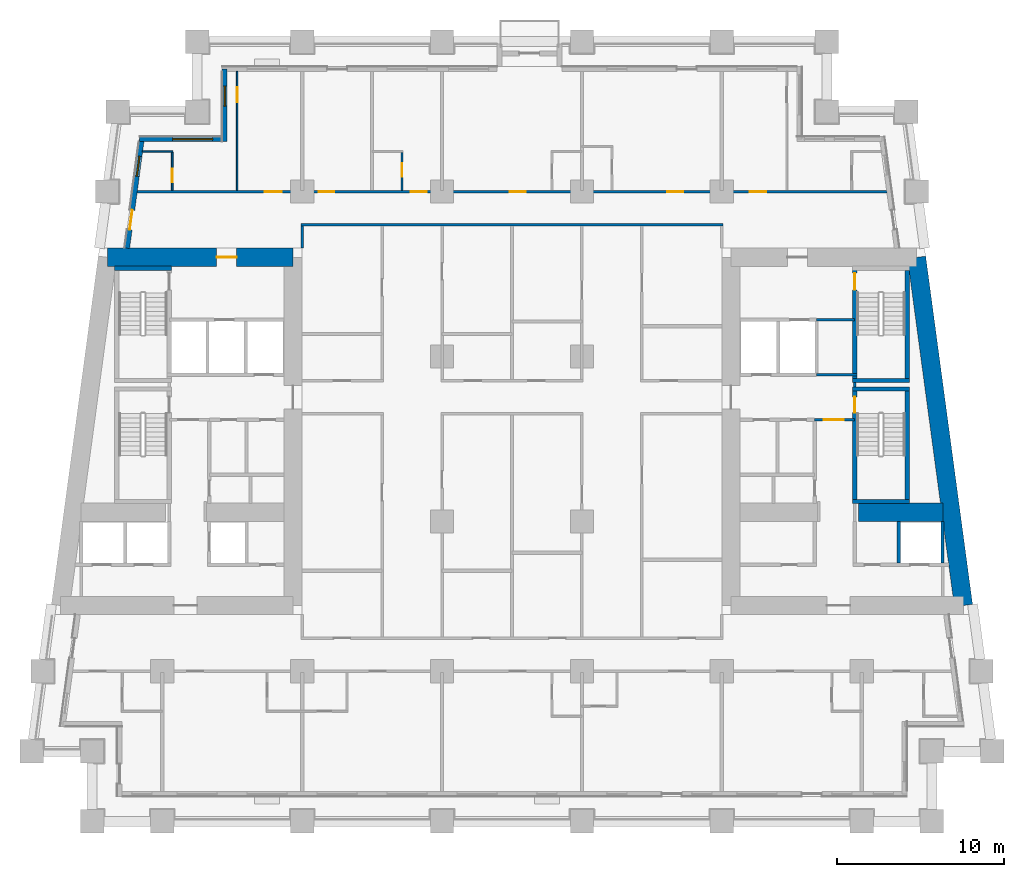
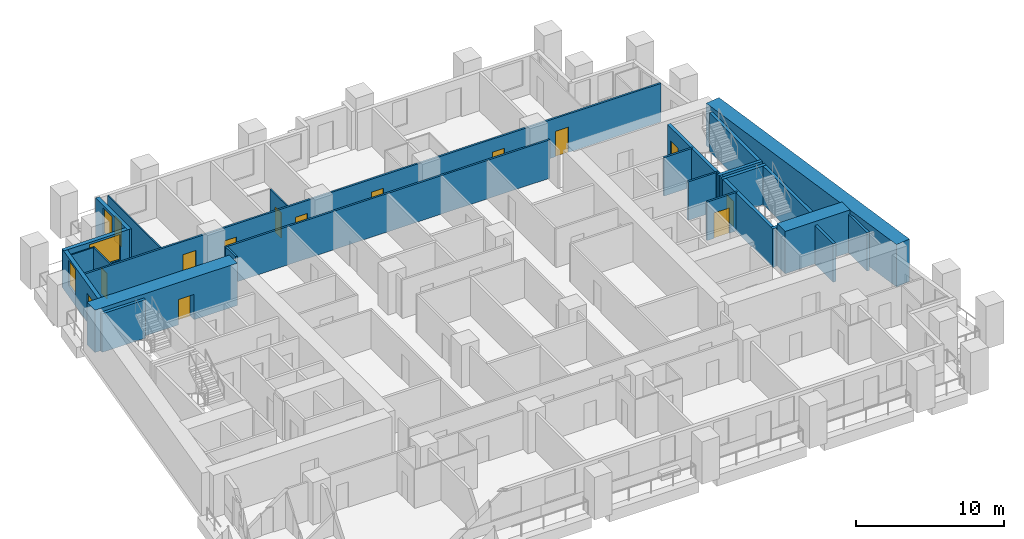
# One storey, part 6 of 13: 27 walls, 14 doors, 3 windows, 17 openings.
"""IFC4 building model written with IfcOpenShell, lengths in metres."""

import ifcopenshell
import ifcopenshell.guid

model = None  # the IFC model being written
_history = None  # IfcOwnerHistory: only IFC2X3 demands one
_inside = {}  # id of a spatial element -> (the spatial element, [elements in it])
_under = {}  # id of a project, library or spatial element -> (it, [spatial elements below it])
_declared = {}  # id of a project -> (the project, [libraries it declares])
_typed = {}  # id of a type object -> (the type object, [elements of that type])
_made_of = {}  # id of a material, layer set ... -> (it, [elements and type objects made of it])


def new_model(schema):
    """Start an empty IFC model of exactly this schema.

    Asked for "IFC4X3", IfcOpenShell would pick the latest addendum, in which some entities
    have other attributes; the version numbers below select the first issue.
    IFC2X3 requires an IfcOwnerHistory on every rooted entity: one is made here for all.
    """
    global model, _history
    if schema == "IFC4X3":
        model = ifcopenshell.file(schema_version=(4, 3, 0, 0))
    else:
        model = ifcopenshell.file(schema=schema)
    _inside.clear()
    _under.clear()
    _declared.clear()
    _typed.clear()
    _made_of.clear()
    _history = None
    if model.schema == "IFC2X3":
        org = make("IfcOrganization", Name="unknown")
        user = make(
            "IfcPersonAndOrganization",
            ThePerson=make("IfcPerson", FamilyName="unknown"),
            TheOrganization=org,
        )
        app = make(
            "IfcApplication",
            ApplicationDeveloper=org,
            Version="unknown",
            ApplicationFullName="unknown",
            ApplicationIdentifier="unknown",
        )
        _history = make(
            "IfcOwnerHistory",
            OwningUser=user,
            OwningApplication=app,
            ChangeAction="ADDED",
            CreationDate=0,
        )
    return model


def make(cls, **values):
    """One entity of the class cls with the attributes given. An attribute that is None is left unset."""
    return model.create_entity(
        cls, **{name: value for name, value in values.items() if value is not None}
    )


def rooted(cls, **values):
    """An entity with a GlobalId (a new one), such as an element, a storey or a relation."""
    return make(cls, GlobalId=ifcopenshell.guid.new(), OwnerHistory=_history, **values)


def si_unit(unit_type, name, prefix=None):
    """IfcSIUnit, for example si_unit("LENGTHUNIT", "METRE", prefix="MILLI")."""
    return make("IfcSIUnit", UnitType=unit_type, Prefix=prefix, Name=name)


def assignment(units):
    """IfcUnitAssignment: the units of a project."""
    return None if units is None else make("IfcUnitAssignment", Units=units)


def point(xyz):
    """IfcCartesianPoint."""
    return None if xyz is None else make("IfcCartesianPoint", Coordinates=xyz)


def direction(xyz):
    """IfcDirection."""
    return None if xyz is None else make("IfcDirection", DirectionRatios=xyz)


def frame(location, z_axis=None, x_axis=None):
    """IfcAxis2Placement3D, a coordinate frame: its origin and axes. An axis left out is left unset."""
    return make(
        "IfcAxis2Placement3D",
        Location=point(location),
        Axis=direction(z_axis),
        RefDirection=direction(x_axis),
    )


def frame_2d(location, x_axis=None):
    """IfcAxis2Placement2D, a coordinate frame in the plane: its origin and x axis."""
    return make(
        "IfcAxis2Placement2D", Location=point(location), RefDirection=direction(x_axis)
    )


def origin():
    """The frame at (0, 0, 0) with its axes left unset."""
    return frame((0.0, 0.0, 0.0))


def place(relative_to, where):
    """IfcLocalPlacement: puts the frame where relative to a parent placement (None: the world)."""
    return make(
        "IfcLocalPlacement", PlacementRelTo=relative_to, RelativePlacement=where
    )


def context(
    kind, dimensions, precision=None, world=None, true_north=None, identifier=None
):
    """IfcGeometricRepresentationContext, for example the 3D "Model" context."""
    return make(
        "IfcGeometricRepresentationContext",
        ContextIdentifier=identifier,
        ContextType=kind,
        CoordinateSpaceDimension=dimensions,
        Precision=precision,
        WorldCoordinateSystem=world,
        TrueNorth=true_north,
    )


def subcontext(parent, identifier, kind, view, scale=None):
    """IfcGeometricRepresentationSubContext, for example "Body" below "Model"."""
    return make(
        "IfcGeometricRepresentationSubContext",
        ContextIdentifier=identifier,
        ContextType=kind,
        ParentContext=parent,
        TargetScale=scale,
        TargetView=view,
    )


def project(units=None, contexts=None):
    """IfcProject with its units and contexts."""
    return rooted(
        "IfcProject",
        Name="project",
        RepresentationContexts=contexts,
        UnitsInContext=assignment(units),
    )


def spatial(cls, under=None, at=None, **own):
    """A site, building, storey or space (cls), placed at a placement, below another one or the project."""
    s = rooted(cls, ObjectPlacement=at, **own)
    if under is not None:
        _under.setdefault(under.id(), (under, []))[1].append(s)
    return s


def profile(cls, at=None, kind="AREA", **sizes):
    """A parametric profile (cls). Its sizes go by their IFC names, for example OverallWidth=200.0."""
    return make(cls, ProfileType=kind, Position=at, **sizes)


def rectangle(**sizes):
    """IfcRectangleProfileDef."""
    return profile("IfcRectangleProfileDef", **sizes)


def extrude(swept, where, along, depth):
    """IfcExtrudedAreaSolid: the profile swept, set in the frame where, extruded along a direction by depth."""
    return make(
        "IfcExtrudedAreaSolid",
        SweptArea=swept,
        Position=where,
        ExtrudedDirection=direction(along),
        Depth=depth,
    )


def shape(context_of_items, identifier, shape_type, items):
    """IfcShapeRepresentation: the items that make up one representation, for example the "Body"."""
    return make(
        "IfcShapeRepresentation",
        ContextOfItems=context_of_items,
        RepresentationIdentifier=identifier,
        RepresentationType=shape_type,
        Items=items,
    )


def material(Name=None, Category=None):
    """IfcMaterial."""
    return make("IfcMaterial", Name=Name, Category=Category)


def layer(
    of_material, thickness, ventilated=None, Name=None, Category=None, Priority=None
):
    """IfcMaterialLayer: one layer of a wall or slab, of a material (None: an air gap)."""
    return make(
        "IfcMaterialLayer",
        Material=of_material,
        LayerThickness=thickness,
        IsVentilated=ventilated,
        Name=Name,
        Category=Category,
        Priority=Priority,
    )


def layer_set(layers, Name=None):
    """IfcMaterialLayerSet."""
    return make("IfcMaterialLayerSet", MaterialLayers=layers, LayerSetName=Name)


def made_of(thing, what):
    """Note that an element or type object is made of a material, layer set ...; save() writes the relation."""
    if what is not None:
        _made_of.setdefault(what.id(), (what, []))[1].append(thing)
    return thing


def type_object(cls, material=None, **own):
    """A type object (cls), such as IfcWallType, which elements share."""
    return made_of(rooted(cls, **own), material)


def element(
    cls,
    number,
    at=None,
    inside=None,
    cuts=None,
    type_object=None,
    material=None,
    context=None,
    identifier="Body",
    shape_type=None,
    held_by="IfcProductDefinitionShape",
    body=None,
    shapes=None,
    **own,
):
    """One element of the class cls, such as IfcWall. Its Tag is "e" and its number.

    at: its placement. inside: the storey or other place that contains it. cuts: it is an
    opening in that element (IfcRelVoidsElement). A single representation is given by context,
    identifier, shape_type and body (its items); several are given by shapes. held_by: the class
    of the entity that holds the representations. save() writes the other relations.
    """
    e = rooted(cls, Tag="e%d" % number, ObjectPlacement=at, **own)
    if body is not None:
        shapes = [shape(context, identifier, shape_type, body)]
    if shapes is not None:
        e.Representation = make(held_by, Representations=shapes)
    if inside is not None:
        _inside.setdefault(inside.id(), (inside, []))[1].append(e)
    if cuts is not None:
        rooted(
            "IfcRelVoidsElement", RelatingBuildingElement=cuts, RelatedOpeningElement=e
        )
    if type_object is not None:
        _typed.setdefault(type_object.id(), (type_object, []))[1].append(e)
    return made_of(e, material)


def fill(opening, filler):
    """IfcRelFillsElement: the door or window that sits in an opening."""
    return rooted(
        "IfcRelFillsElement",
        RelatingOpeningElement=opening,
        RelatedBuildingElement=filler,
    )


def aggregate(whole, parts):
    """IfcRelAggregates: a whole, such as a stair, and the parts it consists of."""
    return rooted("IfcRelAggregates", RelatingObject=whole, RelatedObjects=parts)


def save(model, path):
    """Write the relations noted so far, then the file.

    IfcRelAggregates (storeys below a building ...), IfcRelContainedInSpatialStructure (elements
    in a storey), IfcRelDefinesByType, IfcRelAssociatesMaterial and IfcRelDeclares: one each for
    every whole, place, type object, material and project.
    """
    for whole, parts in _under.values():
        aggregate(whole, parts)
    for where, things in _inside.values():
        rooted(
            "IfcRelContainedInSpatialStructure",
            RelatedElements=things,
            RelatingStructure=where,
        )
    for kind, things in _typed.values():
        rooted("IfcRelDefinesByType", RelatedObjects=things, RelatingType=kind)
    for what, things in _made_of.values():
        rooted("IfcRelAssociatesMaterial", RelatedObjects=things, RelatingMaterial=what)
    for by, libraries in _declared.values():
        rooted("IfcRelDeclares", RelatingContext=by, RelatedDefinitions=libraries)
    model.write(path)


model = new_model("IFC4")

# Units and contexts
model_context = context("Model", 3, precision=1e-05, world=origin(), true_north=direction((0.0, 1.0)))
body_context = subcontext(model_context, "Body", "Model", "MODEL_VIEW")
ifc_project = project(units=[si_unit("LENGTHUNIT", "METRE"), si_unit("AREAUNIT", "SQUARE_METRE"), si_unit("VOLUMEUNIT", "CUBIC_METRE"), si_unit("PLANEANGLEUNIT", "RADIAN"), si_unit("MASSUNIT", "GRAM", prefix="KILO")], contexts=[model_context])

# Site, building, storey
site_placement = place(None, origin())
site = spatial("IfcSite", under=ifc_project, at=site_placement, CompositionType="ELEMENT")
building_placement = place(site_placement, origin())
building = spatial("IfcBuilding", under=site, at=building_placement, Name="Candeia Pilgrim Tower and Theatre", CompositionType="ELEMENT")
storey_placement = place(building_placement, frame((0.0, 0.0, 63.5)))
storey = spatial("IfcBuildingStorey", under=building, at=storey_placement, Name="L13", CompositionType="ELEMENT", Elevation=63.5)

# Wall, opening, door
ifc_material_1 = material(Name="Concrete C80/95", Category="concrete")
ifc_layer_1 = layer(ifc_material_1, 1.10009765625)
ifc_layer_set_1 = layer_set([ifc_layer_1], Name="Core wall 1100 C80/95")
wall_type_1 = type_object("IfcWallType", Name="Core wall 1100 C80/95", PredefinedType="SHEAR", material=ifc_layer_set_1)
wall_1_placement = place(storey_placement, frame((89.111572265625, 131.85009765625, 0.0), z_axis=(0.0, 0.0, 1.0), x_axis=(1.0, 0.0, 0.0)))
wall_1 = element("IfcWall", 1, at=wall_1_placement, inside=storey, type_object=wall_type_1, Name="Core wall W1", PredefinedType="SHEAR", context=body_context, shape_type="SweptSolid", body=[
    extrude(rectangle(XDim=11.138427734375, YDim=1.10009765625, at=frame_2d((5.5693359375, 0.0))), origin(), (0.0, 0.0, 1.0), 3.5),
])
opening_1_placement = place(wall_1_placement, frame((6.5517578125, 0.0, 0.0)))
opening_1 = element("IfcOpeningElement", 2, at=opening_1_placement, cuts=wall_1, Name="Opening L13-D060", PredefinedType="OPENING", context=body_context, shape_type="SweptSolid", body=[
    extrude(rectangle(XDim=1.199951171875, YDim=2.10009765625, at=frame_2d((0.60009765625, 1.050048828125))), frame((0.0, 0.56005859375, 0.0), z_axis=(0.0, -1.0, 0.0), x_axis=(1.0, 0.0, 0.0)), (0.0, 0.0, 1.0), 1.1201171875),
])
ifc_material_2 = material(Name="Steel fire door set", Category="steel")
door_type_1 = type_object("IfcDoorType", Name="D-1200-FD60", OperationType="NOTDEFINED", PredefinedType="DOOR", material=ifc_material_2)
door_1_placement = place(opening_1_placement, origin())
door_1 = element("IfcDoor", 3, at=door_1_placement, inside=storey, type_object=door_type_1, Name="Door L13-D060", OperationType="SINGLE_SWING_LEFT", OverallHeight=2.10009765625, OverallWidth=1.199951171875, PredefinedType="DOOR", context=body_context, shape_type="SweptSolid", body=[
    extrude(rectangle(XDim=1.199951171875, YDim=2.10009765625, at=frame_2d((0.60009765625, 1.050048828125))), frame((0.0, 0.02490234375, 0.0), z_axis=(0.0, -1.0, 0.0), x_axis=(1.0, 0.0, 0.0)), (0.0, 0.0, 1.0), 0.050048828125),
])
fill(opening_1, door_1)

# Walls
wall_2_placement = place(storey_placement, frame((137.688232421875, 131.85009765625, 0.0), z_axis=(0.0, 0.0, 1.0), x_axis=(0.133411793472, -0.991060691059, 0.0)))
element("IfcWall", 4, at=wall_2_placement, inside=storey, type_object=wall_type_1, Name="Core wall E2", PredefinedType="SHEAR", context=body_context, shape_type="SweptSolid", body=[
    extrude(rectangle(XDim=21.088623046875, YDim=1.10009765625, at=frame_2d((10.54443359375, 0.0))), origin(), (0.0, 0.0, 1.0), 3.5),
])
wall_3_placement = place(storey_placement, frame((134.199951171875, 116.550048828125, 0.0), z_axis=(0.0, 0.0, 1.0), x_axis=(1.0, 0.0, 0.0)))
element("IfcWall", 5, at=wall_3_placement, inside=storey, type_object=wall_type_1, Name="Core wall E6", PredefinedType="SHEAR", context=body_context, shape_type="SweptSolid", body=[
    extrude(rectangle(XDim=5.076904296875, YDim=1.10009765625, at=frame_2d((2.53857421875, 0.0))), origin(), (0.0, 0.0, 1.0), 3.5),
])

# Wall, opening, window
ifc_material_3 = material(Name="Ceramic block masonry", Category="masonry")
ifc_layer_2 = layer(ifc_material_3, 0.300048828125)
ifc_layer_set_2 = layer_set([ifc_layer_2], Name="EW1 glazing-line wall 300")
wall_type_2 = type_object("IfcWallType", Name="EW1 glazing-line wall 300", PredefinedType="SOLIDWALL", material=ifc_layer_set_2)
wall_4_placement = place(storey_placement, frame((96.14990234375, 143.14990234375, 0.0), z_axis=(0.0, 0.0, 1.0), x_axis=(0.0, -1.0, 0.0)))
wall_4 = element("IfcWall", 6, at=wall_4_placement, inside=storey, type_object=wall_type_2, Name="External wall L13-7.0", PredefinedType="SOLIDWALL", context=body_context, shape_type="SweptSolid", body=[
    extrude(rectangle(XDim=4.349853515625, YDim=0.300048828125, at=frame_2d((2.1748046875, 0.0))), origin(), (0.0, 0.0, 1.0), 3.179931640625),
])
opening_2_placement = place(wall_4_placement, frame((1.02490234375, 0.0, 0.89990234375)))
opening_2 = element("IfcOpeningElement", 7, at=opening_2_placement, cuts=wall_4, Name="Opening W-B", PredefinedType="OPENING", context=body_context, shape_type="SweptSolid", body=[
    extrude(rectangle(XDim=1.199951171875, YDim=2.10009765625, at=frame_2d((0.60009765625, 1.050048828125))), frame((0.0, 0.16015625, 0.0), z_axis=(0.0, -1.0, 0.0), x_axis=(1.0, 0.0, 0.0)), (0.0, 0.0, 1.0), 0.320068359375),
])
ifc_material_4 = material(Name="Aluminium framed double glazing", Category="aluminium")
window_type_1 = type_object("IfcWindowType", Name="W-B window 1200x2100", PartitioningType="SINGLE_PANEL", PredefinedType="WINDOW", material=ifc_material_4)
window_1_placement = place(opening_2_placement, origin())
window_1 = element("IfcWindow", 8, at=window_1_placement, inside=storey, type_object=window_type_1, Name="Window W-B L13", OverallHeight=2.10009765625, OverallWidth=1.199951171875, PartitioningType="SINGLE_PANEL", PredefinedType="WINDOW", context=body_context, shape_type="SweptSolid", body=[
    extrude(rectangle(XDim=1.199951171875, YDim=2.10009765625, at=frame_2d((0.60009765625, 1.050048828125))), frame((0.0, 0.030029296875, 0.0), z_axis=(0.0, -1.0, 0.0), x_axis=(1.0, 0.0, 0.0)), (0.0, 0.0, 1.0), 0.06005859375),
])
fill(opening_2, window_1)

wall_5_placement = place(storey_placement, frame((96.14990234375, 138.949951171875, 0.0), z_axis=(0.0, 0.0, 1.0), x_axis=(-1.0, 0.0, 0.0)))
wall_5 = element("IfcWall", 9, at=wall_5_placement, inside=storey, type_object=wall_type_2, Name="External wall L13-8.0", PredefinedType="SOLIDWALL", context=body_context, shape_type="SweptSolid", body=[
    extrude(rectangle(XDim=5.103759765625, YDim=0.300048828125, at=frame_2d((2.5517578125, 0.0))), origin(), (0.0, 0.0, 1.0), 3.179931640625),
])
opening_3_placement = place(wall_5_placement, frame((0.72509765625, 0.0, 0.89990234375)))
opening_3 = element("IfcOpeningElement", 10, at=opening_3_placement, cuts=wall_5, Name="Opening W-A", PredefinedType="OPENING", context=body_context, shape_type="SweptSolid", body=[
    extrude(rectangle(XDim=2.39990234375, YDim=2.10009765625, at=frame_2d((1.199951171875, 1.050048828125))), frame((0.0, 0.16015625, 0.0), z_axis=(0.0, -1.0, 0.0), x_axis=(1.0, 0.0, 0.0)), (0.0, 0.0, 1.0), 0.320068359375),
])
window_type_2 = type_object("IfcWindowType", Name="W-A window 2400x2100", PartitioningType="DOUBLE_PANEL_VERTICAL", PredefinedType="WINDOW", material=ifc_material_4)
window_2_placement = place(opening_3_placement, origin())
window_2 = element("IfcWindow", 11, at=window_2_placement, inside=storey, type_object=window_type_2, Name="Window W-A L13", OverallHeight=2.10009765625, OverallWidth=2.39990234375, PartitioningType="SINGLE_PANEL", PredefinedType="WINDOW", context=body_context, shape_type="SweptSolid", body=[
    extrude(rectangle(XDim=2.39990234375, YDim=2.10009765625, at=frame_2d((1.199951171875, 1.050048828125))), frame((0.0, 0.030029296875, 0.0), z_axis=(0.0, -1.0, 0.0), x_axis=(1.0, 0.0, 0.0)), (0.0, 0.0, 1.0), 0.06005859375),
])
fill(opening_3, window_2)

# Wall, openings, door, window
wall_6_placement = place(storey_placement, frame((91.177490234375, 138.949951171875, 0.0), z_axis=(0.0, 0.0, 1.0), x_axis=(-0.133426664613, -0.991058689065, 0.0)))
wall_6 = element("IfcWall", 12, at=wall_6_placement, inside=storey, type_object=wall_type_2, Name="External wall L13-9.0", PredefinedType="SOLIDWALL", context=body_context, shape_type="SweptSolid", body=[
    extrude(rectangle(XDim=6.609130859375, YDim=0.300048828125, at=frame_2d((3.3046875, 0.0))), origin(), (0.0, 0.0, 1.0), 3.179931640625),
])
opening_4_placement = place(wall_6_placement, frame((1.039306640625, 0.0, 0.89990234375)))
opening_4 = element("IfcOpeningElement", 13, at=opening_4_placement, cuts=wall_6, Name="Opening W-B", PredefinedType="OPENING", context=body_context, shape_type="SweptSolid", body=[
    extrude(rectangle(XDim=1.199951171875, YDim=2.10009765625, at=frame_2d((0.60009765625, 1.050048828125))), frame((0.0, 0.16015625, 0.0), z_axis=(0.0, -1.0, 0.0), x_axis=(1.0, 0.0, 0.0)), (0.0, 0.0, 1.0), 0.320068359375),
])
opening_5_placement = place(wall_6_placement, frame((4.293701171875, 0.0, 0.0)))
opening_5 = element("IfcOpeningElement", 14, at=opening_5_placement, cuts=wall_6, Name="Opening L13-ED154", PredefinedType="OPENING", context=body_context, shape_type="SweptSolid", body=[
    extrude(rectangle(XDim=1.199951171875, YDim=2.39990234375, at=frame_2d((0.60009765625, 1.199951171875))), frame((0.0, 0.16015625, 0.0), z_axis=(0.0, -1.0, 0.0), x_axis=(1.0, 0.0, 0.0)), (0.0, 0.0, 1.0), 0.320068359375),
])
ifc_material_5 = material(Name="Aluminium framed glazed door", Category="aluminium")
door_type_2 = type_object("IfcDoorType", Name="Loggia door 1200x2400", OperationType="DOUBLE_DOOR_SINGLE_SWING", PredefinedType="DOOR", material=ifc_material_5)
door_2_placement = place(opening_5_placement, origin())
door_2 = element("IfcDoor", 15, at=door_2_placement, inside=storey, type_object=door_type_2, Name="Loggia door L13-ED154", OperationType="DOUBLE_DOOR_SINGLE_SWING", OverallHeight=2.39990234375, OverallWidth=1.199951171875, PredefinedType="DOOR", context=body_context, shape_type="SweptSolid", body=[
    extrude(rectangle(XDim=1.199951171875, YDim=2.39990234375, at=frame_2d((0.60009765625, 1.199951171875))), frame((0.0, 0.02490234375, 0.0), z_axis=(0.0, -1.0, 0.0), x_axis=(1.0, 0.0, 0.0)), (0.0, 0.0, 1.0), 0.050048828125),
])
fill(opening_5, door_2)
window_3_placement = place(opening_4_placement, origin())
window_3 = element("IfcWindow", 16, at=window_3_placement, inside=storey, type_object=window_type_1, Name="Window W-B L13", OverallHeight=2.10009765625, OverallWidth=1.199951171875, PartitioningType="SINGLE_PANEL", PredefinedType="WINDOW", context=body_context, shape_type="SweptSolid", body=[
    extrude(rectangle(XDim=1.199951171875, YDim=2.10009765625, at=frame_2d((0.60009765625, 1.050048828125))), frame((0.0, 0.030029296875, 0.0), z_axis=(0.0, -1.0, 0.0), x_axis=(1.0, 0.0, 0.0)), (0.0, 0.0, 1.0), 0.06005859375),
])
fill(opening_4, window_3)

# Wall
ifc_material_6 = material(Name="Gypsum board partition on steel studs", Category="steel")
ifc_layer_3 = layer(ifc_material_6, 0.10009765625)
ifc_layer_set_3 = layer_set([ifc_layer_3], Name="PW-100 room partition")
wall_type_3 = type_object("IfcWallType", Name="PW-100 room partition", PredefinedType="PARTITIONING", material=ifc_layer_set_3)
wall_7_placement = place(storey_placement, frame((91.2177734375, 138.199951171875, 0.0), z_axis=(0.0, 0.0, 1.0), x_axis=(1.0, 0.0, 0.0)))
element("IfcWall", 17, at=wall_7_placement, inside=storey, type_object=wall_type_3, Name="Room partition L13-049", PredefinedType="PARTITIONING", context=body_context, shape_type="SweptSolid", body=[
    extrude(rectangle(XDim=1.832275390625, YDim=0.10009765625, at=frame_2d((0.916015625, 0.0))), origin(), (0.0, 0.0, 1.0), 3.179931640625),
])

# Wall, opening, door
wall_8_placement = place(storey_placement, frame((93.0, 135.875, 0.0), z_axis=(0.0, 0.0, 1.0), x_axis=(0.0, 1.0, 0.0)))
wall_8 = element("IfcWall", 18, at=wall_8_placement, inside=storey, type_object=wall_type_3, Name="Room partition L13-066", PredefinedType="PARTITIONING", context=body_context, shape_type="SweptSolid", body=[
    extrude(rectangle(XDim=2.27490234375, YDim=0.10009765625, at=frame_2d((1.137451171875, 0.0))), origin(), (0.0, 0.0, 1.0), 3.179931640625),
])
opening_6_placement = place(wall_8_placement, frame((0.5, 0.0, 0.0)))
opening_6 = element("IfcOpeningElement", 19, at=opening_6_placement, cuts=wall_8, Name="Opening L13-D032", PredefinedType="OPENING", context=body_context, shape_type="SweptSolid", body=[
    extrude(rectangle(XDim=0.800048828125, YDim=2.10009765625, at=frame_2d((0.39990234375, 1.050048828125))), frame((0.0, 0.06005859375, 0.0), z_axis=(0.0, -1.0, 0.0), x_axis=(1.0, 0.0, 0.0)), (0.0, 0.0, 1.0), 0.1201171875),
])
ifc_material_7 = material(Name="Timber door leaf", Category="wood")
door_type_3 = type_object("IfcDoorType", Name="D-800", OperationType="NOTDEFINED", PredefinedType="DOOR", material=ifc_material_7)
door_3_placement = place(opening_6_placement, origin())
door_3 = element("IfcDoor", 20, at=door_3_placement, inside=storey, type_object=door_type_3, Name="Door L13-D032", OperationType="SINGLE_SWING_LEFT", OverallHeight=2.10009765625, OverallWidth=0.800048828125, PredefinedType="DOOR", context=body_context, shape_type="SweptSolid", body=[
    extrude(rectangle(XDim=0.800048828125, YDim=2.10009765625, at=frame_2d((0.39990234375, 1.050048828125))), frame((0.0, 0.02490234375, 0.0), z_axis=(0.0, -1.0, 0.0), x_axis=(1.0, 0.0, 0.0)), (0.0, 0.0, 1.0), 0.050048828125),
])
fill(opening_6, door_3)

wall_9_placement = place(storey_placement, frame((96.89990234375, 135.875, 0.0), z_axis=(0.0, 0.0, 1.0), x_axis=(0.0, 1.0, 0.0)))
wall_9 = element("IfcWall", 21, at=wall_9_placement, inside=storey, type_object=wall_type_3, Name="Room partition L13-071", PredefinedType="PARTITIONING", context=body_context, shape_type="SweptSolid", body=[
    extrude(rectangle(XDim=7.135009765625, YDim=0.10009765625, at=frame_2d((3.5673828125, 0.0))), origin(), (0.0, 0.0, 1.0), 3.179931640625),
])
opening_7_placement = place(wall_9_placement, frame((5.2900390625, 0.0, 0.0)))
opening_7 = element("IfcOpeningElement", 22, at=opening_7_placement, cuts=wall_9, Name="Opening L13-D031", PredefinedType="OPENING", context=body_context, shape_type="SweptSolid", body=[
    extrude(rectangle(XDim=0.89990234375, YDim=2.10009765625, at=frame_2d((0.449951171875, 1.050048828125))), frame((0.0, 0.06005859375, 0.0), z_axis=(0.0, -1.0, 0.0), x_axis=(1.0, 0.0, 0.0)), (0.0, 0.0, 1.0), 0.1201171875),
])
door_type_4 = type_object("IfcDoorType", Name="D-900", OperationType="NOTDEFINED", PredefinedType="DOOR", material=ifc_material_7)
door_4_placement = place(opening_7_placement, origin())
door_4 = element("IfcDoor", 23, at=door_4_placement, inside=storey, type_object=door_type_4, Name="Door L13-D031", OperationType="SINGLE_SWING_RIGHT", OverallHeight=2.10009765625, OverallWidth=0.89990234375, PredefinedType="DOOR", context=body_context, shape_type="SweptSolid", body=[
    extrude(rectangle(XDim=0.89990234375, YDim=2.10009765625, at=frame_2d((0.449951171875, 1.050048828125))), frame((0.0, 0.02490234375, 0.0), z_axis=(0.0, -1.0, 0.0), x_axis=(1.0, 0.0, 0.0)), (0.0, 0.0, 1.0), 0.050048828125),
])
fill(opening_7, door_4)

wall_10_placement = place(storey_placement, frame((106.800048828125, 135.875, 0.0), z_axis=(0.0, 0.0, 1.0), x_axis=(0.0, 1.0, 0.0)))
wall_10 = element("IfcWall", 24, at=wall_10_placement, inside=storey, type_object=wall_type_3, Name="Room partition L13-085", PredefinedType="PARTITIONING", context=body_context, shape_type="SweptSolid", body=[
    extrude(rectangle(XDim=2.27490234375, YDim=0.10009765625, at=frame_2d((1.137451171875, 0.0))), origin(), (0.0, 0.0, 1.0), 3.179931640625),
])
opening_8_placement = place(wall_10_placement, frame((0.81494140625, 0.0, 0.0)))
opening_8 = element("IfcOpeningElement", 25, at=opening_8_placement, cuts=wall_10, Name="Opening L13-D035", PredefinedType="OPENING", context=body_context, shape_type="SweptSolid", body=[
    extrude(rectangle(XDim=0.800048828125, YDim=2.10009765625, at=frame_2d((0.39990234375, 1.050048828125))), frame((0.0, 0.06005859375, 0.0), z_axis=(0.0, -1.0, 0.0), x_axis=(1.0, 0.0, 0.0)), (0.0, 0.0, 1.0), 0.1201171875),
])
door_5_placement = place(opening_8_placement, origin())
door_5 = element("IfcDoor", 26, at=door_5_placement, inside=storey, type_object=door_type_3, Name="Door L13-D035", OperationType="SINGLE_SWING_RIGHT", OverallHeight=2.10009765625, OverallWidth=0.800048828125, PredefinedType="DOOR", context=body_context, shape_type="SweptSolid", body=[
    extrude(rectangle(XDim=0.800048828125, YDim=2.10009765625, at=frame_2d((0.39990234375, 1.050048828125))), frame((0.0, 0.02490234375, 0.0), z_axis=(0.0, -1.0, 0.0), x_axis=(1.0, 0.0, 0.0)), (0.0, 0.0, 1.0), 0.050048828125),
])
fill(opening_8, door_5)

ifc_layer_4 = layer(ifc_material_6, 0.14990234375)
ifc_layer_set_4 = layer_set([ifc_layer_4], Name="PW-150 lobby wall")
wall_type_4 = type_object("IfcWallType", Name="PW-150 lobby wall", PredefinedType="PARTITIONING", material=ifc_layer_set_4)
wall_11_placement = place(storey_placement, frame((131.572998046875, 122.10009765625, 0.0), z_axis=(0.0, 0.0, 1.0), x_axis=(1.0, 0.0, 0.0)))
wall_11 = element("IfcWall", 27, at=wall_11_placement, inside=storey, type_object=wall_type_4, Name="Lobby wall L13-024", PredefinedType="PARTITIONING", context=body_context, shape_type="SweptSolid", body=[
    extrude(rectangle(XDim=2.39990234375, YDim=0.14990234375, at=frame_2d((1.199951171875, 0.0))), origin(), (0.0, 0.0, 1.0), 3.179931640625),
])
opening_9_placement = place(wall_11_placement, frame((0.550048828125, 0.0, 0.0)))
opening_9 = element("IfcOpeningElement", 28, at=opening_9_placement, cuts=wall_11, Name="Opening L13-D008", PredefinedType="OPENING", context=body_context, shape_type="SweptSolid", body=[
    extrude(rectangle(XDim=1.199951171875, YDim=2.10009765625, at=frame_2d((0.60009765625, 1.050048828125))), frame((0.0, 0.0849609375, 0.0), z_axis=(0.0, -1.0, 0.0), x_axis=(1.0, 0.0, 0.0)), (0.0, 0.0, 1.0), 0.169921875),
])
door_6_placement = place(opening_9_placement, origin())
door_6 = element("IfcDoor", 29, at=door_6_placement, inside=storey, type_object=door_type_1, Name="Door L13-D008", OperationType="SINGLE_SWING_RIGHT", OverallHeight=2.10009765625, OverallWidth=1.199951171875, PredefinedType="DOOR", context=body_context, shape_type="SweptSolid", body=[
    extrude(rectangle(XDim=1.199951171875, YDim=2.10009765625, at=frame_2d((0.60009765625, 1.050048828125))), frame((0.0, 0.02490234375, 0.0), z_axis=(0.0, -1.0, 0.0), x_axis=(1.0, 0.0, 0.0)), (0.0, 0.0, 1.0), 0.050048828125),
])
fill(opening_9, door_6)

# Walls
wall_12_placement = place(storey_placement, frame((131.681884765625, 124.800048828125, 0.0), z_axis=(0.0, 0.0, 1.0), x_axis=(1.0, 0.0, 0.0)))
element("IfcWall", 30, at=wall_12_placement, inside=storey, type_object=wall_type_4, Name="Lobby wall L13-037", PredefinedType="PARTITIONING", context=body_context, shape_type="SweptSolid", body=[
    extrude(rectangle(XDim=2.416015625, YDim=0.14990234375, at=frame_2d((1.2080078125, 0.0))), origin(), (0.0, 0.0, 1.0), 3.179931640625),
])
wall_13_placement = place(storey_placement, frame((131.681884765625, 128.10009765625, 0.0), z_axis=(0.0, 0.0, 1.0), x_axis=(1.0, 0.0, 0.0)))
element("IfcWall", 31, at=wall_13_placement, inside=storey, type_object=wall_type_4, Name="Lobby wall L13-044", PredefinedType="PARTITIONING", context=body_context, shape_type="SweptSolid", body=[
    extrude(rectangle(XDim=2.291015625, YDim=0.14990234375, at=frame_2d((1.1455078125, 0.0))), origin(), (0.0, 0.0, 1.0), 3.179931640625),
])
wall_14_placement = place(storey_placement, frame((133.972900390625, 124.074951171875, 0.0), z_axis=(0.0, 0.0, 1.0), x_axis=(0.0, 1.0, 0.0)))
element("IfcWall", 32, at=wall_14_placement, inside=storey, type_object=wall_type_4, Name="Lobby wall L13-118", PredefinedType="PARTITIONING", context=body_context, shape_type="SweptSolid", body=[
    extrude(rectangle(XDim=0.25, YDim=0.14990234375, at=frame_2d((0.125, 0.0))), origin(), (0.0, 0.0, 1.0), 3.179931640625),
])
ifc_layer_5 = layer(ifc_material_6, 0.14990234375)
ifc_layer_set_5 = layer_set([ifc_layer_5], Name="PW-150 unit wall")
wall_type_5 = type_object("IfcWallType", Name="PW-150 unit wall", PredefinedType="PARTITIONING", material=ifc_layer_set_5)
wall_15_placement = place(storey_placement, frame((100.72509765625, 133.800048828125, 0.0), z_axis=(0.0, 0.0, 1.0), x_axis=(1.0, 0.0, 0.0)))
element("IfcWall", 33, at=wall_15_placement, inside=storey, type_object=wall_type_5, Name="Unit wall L13-047", PredefinedType="PARTITIONING", context=body_context, shape_type="SweptSolid", body=[
    extrude(rectangle(XDim=25.349853515625, YDim=0.14990234375, at=frame_2d((12.6748046875, 0.0))), origin(), (0.0, 0.0, 1.0), 3.179931640625),
])

# Wall, openings, doors
wall_16_placement = place(storey_placement, frame((90.89453125, 135.800048828125, 0.0), z_axis=(0.0, 0.0, 1.0), x_axis=(1.0, 0.0, 0.0)))
wall_16 = element("IfcWall", 34, at=wall_16_placement, inside=storey, type_object=wall_type_5, Name="Unit wall L13-048", PredefinedType="PARTITIONING", context=body_context, shape_type="SweptSolid", body=[
    extrude(rectangle(XDim=45.010986328125, YDim=0.14990234375, at=frame_2d((22.50537109375, 0.0))), origin(), (0.0, 0.0, 1.0), 3.179931640625),
])
opening_10_placement = place(wall_16_placement, frame((7.67529296875, 0.0, 0.0)))
opening_10 = element("IfcOpeningElement", 35, at=opening_10_placement, cuts=wall_16, Name="Opening L13-D030", PredefinedType="OPENING", context=body_context, shape_type="SweptSolid", body=[
    extrude(rectangle(XDim=1.0, YDim=2.10009765625, at=frame_2d((0.5, 1.050048828125))), frame((0.0, 0.0849609375, 0.0), z_axis=(0.0, -1.0, 0.0), x_axis=(1.0, 0.0, 0.0)), (0.0, 0.0, 1.0), 0.169921875),
])
opening_11_placement = place(wall_16_placement, frame((10.892333984375, 0.0, 0.0)))
opening_11 = element("IfcOpeningElement", 36, at=opening_11_placement, cuts=wall_16, Name="Opening L13-D033", PredefinedType="OPENING", context=body_context, shape_type="SweptSolid", body=[
    extrude(rectangle(XDim=0.949951171875, YDim=2.10009765625, at=frame_2d((0.47509765625, 1.050048828125))), frame((0.0, 0.0849609375, 0.0), z_axis=(0.0, -1.0, 0.0), x_axis=(1.0, 0.0, 0.0)), (0.0, 0.0, 1.0), 0.169921875),
])
opening_12_placement = place(wall_16_placement, frame((16.4423828125, 0.0, 0.0)))
opening_12 = element("IfcOpeningElement", 37, at=opening_12_placement, cuts=wall_16, Name="Opening L13-D034", PredefinedType="OPENING", context=body_context, shape_type="SweptSolid", body=[
    extrude(rectangle(XDim=0.949951171875, YDim=2.10009765625, at=frame_2d((0.47509765625, 1.050048828125))), frame((0.0, 0.0849609375, 0.0), z_axis=(0.0, -1.0, 0.0), x_axis=(1.0, 0.0, 0.0)), (0.0, 0.0, 1.0), 0.169921875),
])
opening_13_placement = place(wall_16_placement, frame((22.368408203125, 0.0, 0.0)))
opening_13 = element("IfcOpeningElement", 38, at=opening_13_placement, cuts=wall_16, Name="Opening L13-D036", PredefinedType="OPENING", context=body_context, shape_type="SweptSolid", body=[
    extrude(rectangle(XDim=0.949951171875, YDim=2.10009765625, at=frame_2d((0.47509765625, 1.050048828125))), frame((0.0, 0.0849609375, 0.0), z_axis=(0.0, -1.0, 0.0), x_axis=(1.0, 0.0, 0.0)), (0.0, 0.0, 1.0), 0.169921875),
])
opening_14_placement = place(wall_16_placement, frame((31.825439453125, 0.0, 0.0)))
opening_14 = element("IfcOpeningElement", 39, at=opening_14_placement, cuts=wall_16, Name="Opening L13-D038", PredefinedType="OPENING", context=body_context, shape_type="SweptSolid", body=[
    extrude(rectangle(XDim=0.949951171875, YDim=2.10009765625, at=frame_2d((0.47509765625, 1.050048828125))), frame((0.0, 0.0849609375, 0.0), z_axis=(0.0, -1.0, 0.0), x_axis=(1.0, 0.0, 0.0)), (0.0, 0.0, 1.0), 0.169921875),
])
opening_15_placement = place(wall_16_placement, frame((36.775390625, 0.0, 0.0)))
opening_15 = element("IfcOpeningElement", 40, at=opening_15_placement, cuts=wall_16, Name="Opening L13-D040", PredefinedType="OPENING", context=body_context, shape_type="SweptSolid", body=[
    extrude(rectangle(XDim=1.0, YDim=2.10009765625, at=frame_2d((0.5, 1.050048828125))), frame((0.0, 0.0849609375, 0.0), z_axis=(0.0, -1.0, 0.0), x_axis=(1.0, 0.0, 0.0)), (0.0, 0.0, 1.0), 0.169921875),
])
door_type_5 = type_object("IfcDoorType", Name="D-1000-FD30S", OperationType="NOTDEFINED", PredefinedType="DOOR", material=ifc_material_2)
door_7_placement = place(opening_10_placement, origin())
door_7 = element("IfcDoor", 41, at=door_7_placement, inside=storey, type_object=door_type_5, Name="Door L13-D030", OperationType="SINGLE_SWING_LEFT", OverallHeight=2.10009765625, OverallWidth=1.0, PredefinedType="DOOR", context=body_context, shape_type="SweptSolid", body=[
    extrude(rectangle(XDim=1.0, YDim=2.10009765625, at=frame_2d((0.5, 1.050048828125))), frame((0.0, 0.02490234375, 0.0), z_axis=(0.0, -1.0, 0.0), x_axis=(1.0, 0.0, 0.0)), (0.0, 0.0, 1.0), 0.050048828125),
])
fill(opening_10, door_7)
door_8_placement = place(opening_15_placement, origin())
door_8 = element("IfcDoor", 42, at=door_8_placement, inside=storey, type_object=door_type_5, Name="Door L13-D040", OperationType="SINGLE_SWING_LEFT", OverallHeight=2.10009765625, OverallWidth=1.0, PredefinedType="DOOR", context=body_context, shape_type="SweptSolid", body=[
    extrude(rectangle(XDim=1.0, YDim=2.10009765625, at=frame_2d((0.5, 1.050048828125))), frame((0.0, 0.02490234375, 0.0), z_axis=(0.0, -1.0, 0.0), x_axis=(1.0, 0.0, 0.0)), (0.0, 0.0, 1.0), 0.050048828125),
])
fill(opening_15, door_8)
door_type_6 = type_object("IfcDoorType", Name="D-950-FD30S", OperationType="NOTDEFINED", PredefinedType="DOOR", material=ifc_material_2)
door_9_placement = place(opening_11_placement, origin())
door_9 = element("IfcDoor", 43, at=door_9_placement, inside=storey, type_object=door_type_6, Name="Door L13-D033", OperationType="SINGLE_SWING_RIGHT", OverallHeight=2.10009765625, OverallWidth=0.949951171875, PredefinedType="DOOR", context=body_context, shape_type="SweptSolid", body=[
    extrude(rectangle(XDim=0.949951171875, YDim=2.10009765625, at=frame_2d((0.47509765625, 1.050048828125))), frame((0.0, 0.02490234375, 0.0), z_axis=(0.0, -1.0, 0.0), x_axis=(1.0, 0.0, 0.0)), (0.0, 0.0, 1.0), 0.050048828125),
])
fill(opening_11, door_9)
door_10_placement = place(opening_12_placement, origin())
door_10 = element("IfcDoor", 44, at=door_10_placement, inside=storey, type_object=door_type_6, Name="Door L13-D034", OperationType="SINGLE_SWING_LEFT", OverallHeight=2.10009765625, OverallWidth=0.949951171875, PredefinedType="DOOR", context=body_context, shape_type="SweptSolid", body=[
    extrude(rectangle(XDim=0.949951171875, YDim=2.10009765625, at=frame_2d((0.47509765625, 1.050048828125))), frame((0.0, 0.02490234375, 0.0), z_axis=(0.0, -1.0, 0.0), x_axis=(1.0, 0.0, 0.0)), (0.0, 0.0, 1.0), 0.050048828125),
])
fill(opening_12, door_10)
door_11_placement = place(opening_13_placement, origin())
door_11 = element("IfcDoor", 45, at=door_11_placement, inside=storey, type_object=door_type_6, Name="Door L13-D036", OperationType="SINGLE_SWING_LEFT", OverallHeight=2.10009765625, OverallWidth=0.949951171875, PredefinedType="DOOR", context=body_context, shape_type="SweptSolid", body=[
    extrude(rectangle(XDim=0.949951171875, YDim=2.10009765625, at=frame_2d((0.47509765625, 1.050048828125))), frame((0.0, 0.02490234375, 0.0), z_axis=(0.0, -1.0, 0.0), x_axis=(1.0, 0.0, 0.0)), (0.0, 0.0, 1.0), 0.050048828125),
])
fill(opening_13, door_11)
door_12_placement = place(opening_14_placement, origin())
door_12 = element("IfcDoor", 46, at=door_12_placement, inside=storey, type_object=door_type_6, Name="Door L13-D038", OperationType="SINGLE_SWING_LEFT", OverallHeight=2.10009765625, OverallWidth=0.949951171875, PredefinedType="DOOR", context=body_context, shape_type="SweptSolid", body=[
    extrude(rectangle(XDim=0.949951171875, YDim=2.10009765625, at=frame_2d((0.47509765625, 1.050048828125))), frame((0.0, 0.02490234375, 0.0), z_axis=(0.0, -1.0, 0.0), x_axis=(1.0, 0.0, 0.0)), (0.0, 0.0, 1.0), 0.050048828125),
])
fill(opening_14, door_12)

# Walls
wall_17_placement = place(storey_placement, frame((100.800048828125, 132.39990234375, 0.0), z_axis=(0.0, 0.0, 1.0), x_axis=(0.0, 1.0, 0.0)))
element("IfcWall", 47, at=wall_17_placement, inside=storey, type_object=wall_type_5, Name="Unit wall L13-080", PredefinedType="PARTITIONING", context=body_context, shape_type="SweptSolid", body=[
    extrude(rectangle(XDim=1.3251953125, YDim=0.14990234375, at=frame_2d((0.66259765625, 0.0))), origin(), (0.0, 0.0, 1.0), 3.179931640625),
])
ifc_material_8 = material(Name="Concrete C40/50", Category="concrete")
ifc_layer_6 = layer(ifc_material_8, 0.199951171875)
ifc_layer_set_6 = layer_set([ifc_layer_6], Name="SW-200 shaft wall")
wall_type_6 = type_object("IfcWallType", Name="SW-200 shaft wall", PredefinedType="PARTITIONING", material=ifc_layer_set_6)
for number, where, z_axis, x_axis, name in (
    (48, (136.62158203125, 113.5, 0.0), (0.0, 0.0, 1.0), (0.0, 1.0, 0.0), "Shaft wall L13-122"),
    (49, (139.247802734375, 113.5, 0.0), (0.0, 0.0, 1.0), (0.0, 1.0, 0.0), "Shaft wall L13-126"),
):
    element("IfcWall", number, at=place(storey_placement, frame(where, z_axis=z_axis, x_axis=x_axis)), inside=storey, type_object=wall_type_6, Name=name, PredefinedType="PARTITIONING", context=body_context, shape_type="SweptSolid", body=[
        extrude(rectangle(XDim=2.5, YDim=0.199951171875, at=frame_2d((1.25, 0.0))), origin(), (0.0, 0.0, 1.0), 3.179931640625),
    ])
ifc_layer_7 = layer(ifc_material_8, 0.25)
ifc_layer_set_7 = layer_set([ifc_layer_7], Name="SW-250 stair wall")
wall_type_7 = type_object("IfcWallType", Name="SW-250 stair wall", PredefinedType="PARTITIONING", material=ifc_layer_set_7)
for number, where, z_axis, x_axis, name in (
    (50, (133.847900390625, 117.199951171875, 0.0), (0.0, 0.0, 1.0), (1.0, 0.0, 0.0), "Stair wall L13-018"),
    (51, (133.847900390625, 123.949951171875, 0.0), (0.0, 0.0, 1.0), (1.0, 0.0, 0.0), "Stair wall L13-029"),
    (52, (133.847900390625, 124.449951171875, 0.0), (0.0, 0.0, 1.0), (1.0, 0.0, 0.0), "Stair wall L13-031"),
):
    element("IfcWall", number, at=place(storey_placement, frame(where, z_axis=z_axis, x_axis=x_axis)), inside=storey, type_object=wall_type_7, Name=name, PredefinedType="PARTITIONING", context=body_context, shape_type="SweptSolid", body=[
        extrude(rectangle(XDim=3.400146484375, YDim=0.25, at=frame_2d((1.7001953125, 0.0))), origin(), (0.0, 0.0, 1.0), 3.179931640625),
    ])
wall_18_placement = place(storey_placement, frame((89.552001953125, 131.199951171875, 0.0), z_axis=(0.0, 0.0, 1.0), x_axis=(1.0, 0.0, 0.0)))
element("IfcWall", 53, at=wall_18_placement, inside=storey, type_object=wall_type_7, Name="Stair wall L13-045", PredefinedType="PARTITIONING", context=body_context, shape_type="SweptSolid", body=[
    extrude(rectangle(XDim=3.39990234375, YDim=0.25, at=frame_2d((1.699951171875, 0.0))), origin(), (0.0, 0.0, 1.0), 3.179931640625),
])

# Wall, opening, door
wall_19_placement = place(storey_placement, frame((133.972900390625, 117.070068359375, 0.0), z_axis=(0.0, 0.0, 1.0), x_axis=(0.0, 1.0, 0.0)))
wall_19 = element("IfcWall", 54, at=wall_19_placement, inside=storey, type_object=wall_type_7, Name="Stair wall L13-119", PredefinedType="PARTITIONING", context=body_context, shape_type="SweptSolid", body=[
    extrude(rectangle(XDim=6.7548828125, YDim=0.25, at=frame_2d((3.37744140625, 0.0))), origin(), (0.0, 0.0, 1.0), 3.179931640625),
])
opening_16_placement = place(wall_19_placement, frame((5.455078125, 0.0, 0.0)))
opening_16 = element("IfcOpeningElement", 55, at=opening_16_placement, cuts=wall_19, Name="Opening L13-D011", PredefinedType="OPENING", context=body_context, shape_type="SweptSolid", body=[
    extrude(rectangle(XDim=0.949951171875, YDim=2.10009765625, at=frame_2d((0.47509765625, 1.050048828125))), frame((0.0, 0.135009765625, 0.0), z_axis=(0.0, -1.0, 0.0), x_axis=(1.0, 0.0, 0.0)), (0.0, 0.0, 1.0), 0.27001953125),
])
door_type_7 = type_object("IfcDoorType", Name="D-950-FD60", OperationType="NOTDEFINED", PredefinedType="DOOR", material=ifc_material_2)
door_13_placement = place(opening_16_placement, origin())
door_13 = element("IfcDoor", 56, at=door_13_placement, inside=storey, type_object=door_type_7, Name="Door L13-D011", OperationType="SINGLE_SWING_LEFT", OverallHeight=2.10009765625, OverallWidth=0.949951171875, PredefinedType="DOOR", context=body_context, shape_type="SweptSolid", body=[
    extrude(rectangle(XDim=0.949951171875, YDim=2.10009765625, at=frame_2d((0.47509765625, 1.050048828125))), frame((0.0, 0.02490234375, 0.0), z_axis=(0.0, -1.0, 0.0), x_axis=(1.0, 0.0, 0.0)), (0.0, 0.0, 1.0), 0.050048828125),
])
fill(opening_16, door_13)

wall_20_placement = place(storey_placement, frame((133.972900390625, 124.574951171875, 0.0), z_axis=(0.0, 0.0, 1.0), x_axis=(0.0, 1.0, 0.0)))
wall_20 = element("IfcWall", 57, at=wall_20_placement, inside=storey, type_object=wall_type_7, Name="Stair wall L13-120", PredefinedType="PARTITIONING", context=body_context, shape_type="SweptSolid", body=[
    extrude(rectangle(XDim=6.755126953125, YDim=0.25, at=frame_2d((3.37744140625, 0.0))), origin(), (0.0, 0.0, 1.0), 3.179931640625),
])
opening_17_placement = place(wall_20_placement, frame((5.324951171875, 0.0, 0.0)))
opening_17 = element("IfcOpeningElement", 58, at=opening_17_placement, cuts=wall_20, Name="Opening L13-D012", PredefinedType="OPENING", context=body_context, shape_type="SweptSolid", body=[
    extrude(rectangle(XDim=1.0, YDim=2.10009765625, at=frame_2d((0.5, 1.050048828125))), frame((0.0, 0.135009765625, 0.0), z_axis=(0.0, -1.0, 0.0), x_axis=(1.0, 0.0, 0.0)), (0.0, 0.0, 1.0), 0.27001953125),
])
door_type_8 = type_object("IfcDoorType", Name="D-1000-FD60", OperationType="NOTDEFINED", PredefinedType="DOOR", material=ifc_material_2)
door_14_placement = place(opening_17_placement, origin())
door_14 = element("IfcDoor", 59, at=door_14_placement, inside=storey, type_object=door_type_8, Name="Door L13-D012", OperationType="SINGLE_SWING_RIGHT", OverallHeight=2.10009765625, OverallWidth=1.0, PredefinedType="DOOR", context=body_context, shape_type="SweptSolid", body=[
    extrude(rectangle(XDim=1.0, YDim=2.10009765625, at=frame_2d((0.5, 1.050048828125))), frame((0.0, 0.02490234375, 0.0), z_axis=(0.0, -1.0, 0.0), x_axis=(1.0, 0.0, 0.0)), (0.0, 0.0, 1.0), 0.050048828125),
])
fill(opening_17, door_14)

# Walls
wall_21_placement = place(storey_placement, frame((137.123046875, 117.070068359375, 0.0), z_axis=(0.0, 0.0, 1.0), x_axis=(0.0, 1.0, 0.0)))
element("IfcWall", 60, at=wall_21_placement, inside=storey, type_object=wall_type_7, Name="Stair wall L13-123", PredefinedType="PARTITIONING", context=body_context, shape_type="SweptSolid", body=[
    extrude(rectangle(XDim=6.7548828125, YDim=0.25, at=frame_2d((3.37744140625, 0.0))), origin(), (0.0, 0.0, 1.0), 3.179931640625),
])
wall_22_placement = place(storey_placement, frame((137.123046875, 124.574951171875, 0.0), z_axis=(0.0, 0.0, 1.0), x_axis=(0.0, 1.0, 0.0)))
element("IfcWall", 61, at=wall_22_placement, inside=storey, type_object=wall_type_7, Name="Stair wall L13-124", PredefinedType="PARTITIONING", context=body_context, shape_type="SweptSolid", body=[
    extrude(rectangle(XDim=6.5, YDim=0.25, at=frame_2d((3.25, 0.0))), origin(), (0.0, 0.0, 1.0), 3.179931640625),
])

save(model, "model.ifc")
